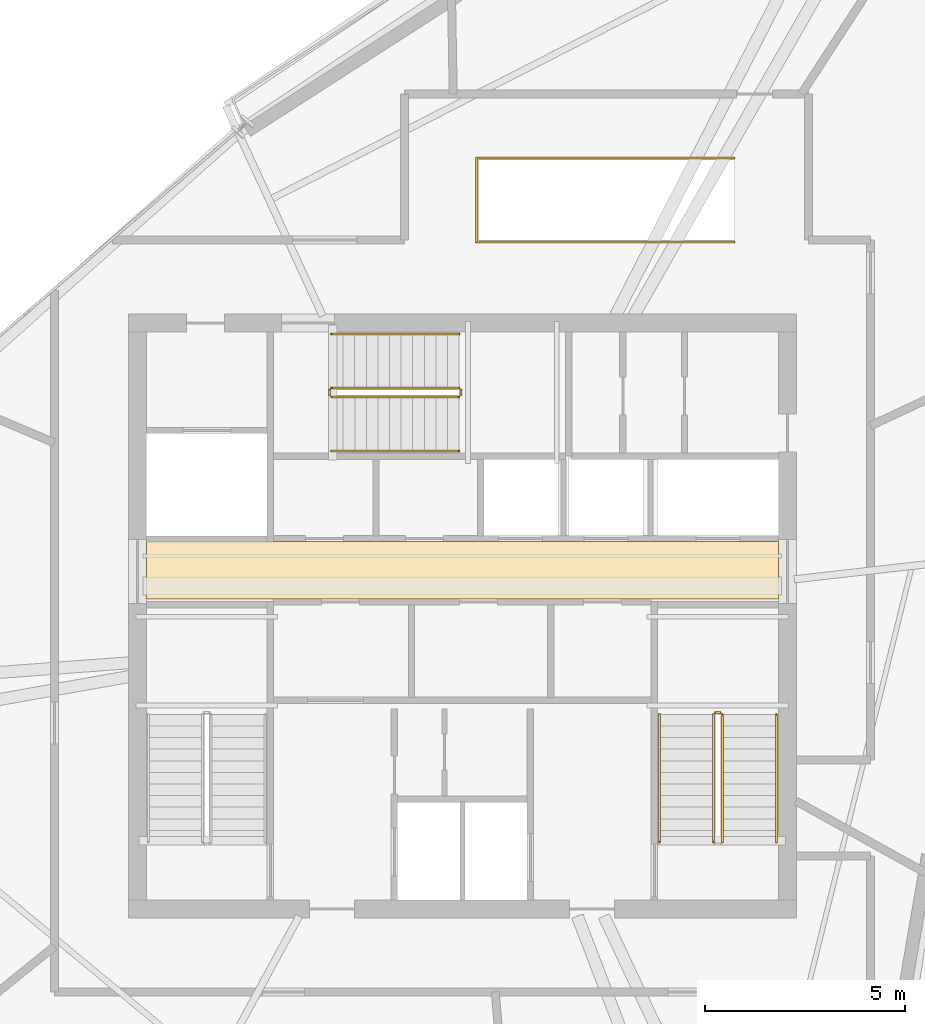
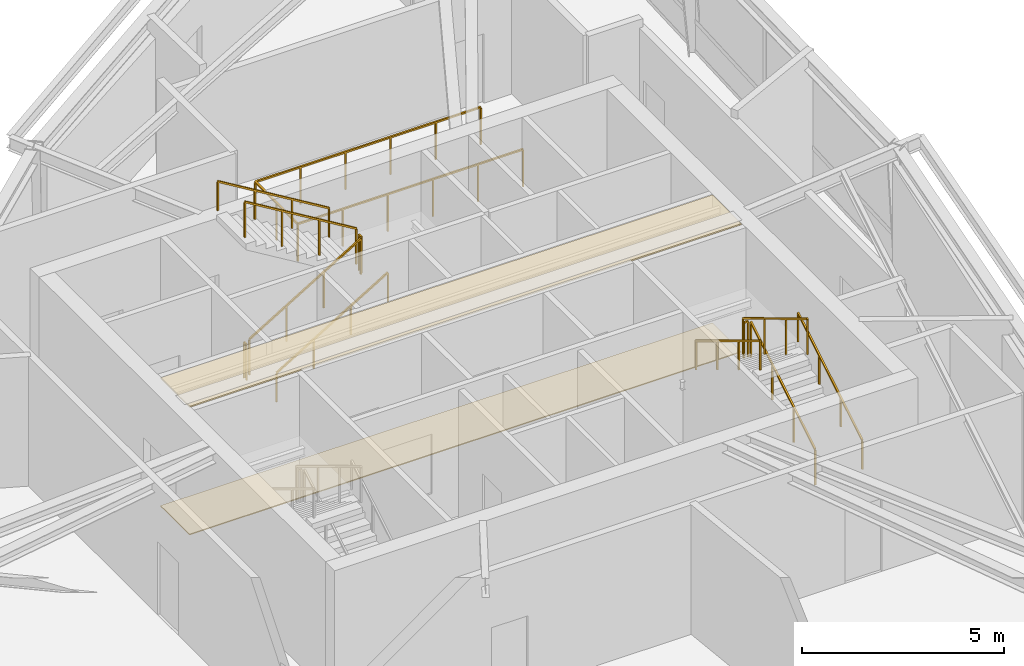
# One storey, part 21 of 22: 12 railings, 2 coverings.
"""IFC4 building model written with IfcOpenShell, lengths in metres."""

from ifc_helpers import new_model, si_unit, direction, frame, origin, origin_2d, place, context, subcontext, project, spatial, polyline, rectangle, outline, extrude, material, layer, layer_set, type_object, element, save


model = new_model("IFC4")

# Units and contexts
model_context = context("Model", 3, precision=1e-05, world=origin(), true_north=direction((0.0, 1.0)))
body_context = subcontext(model_context, "Body", "Model", "MODEL_VIEW")
ifc_project = project(units=[si_unit("LENGTHUNIT", "METRE"), si_unit("AREAUNIT", "SQUARE_METRE"), si_unit("VOLUMEUNIT", "CUBIC_METRE"), si_unit("PLANEANGLEUNIT", "RADIAN"), si_unit("MASSUNIT", "GRAM", prefix="KILO")], contexts=[model_context])

# Site, building, storey
site_placement = place(None, origin())
site = spatial("IfcSite", under=ifc_project, at=site_placement, CompositionType="ELEMENT")
building_placement = place(site_placement, origin())
building = spatial("IfcBuilding", under=site, at=building_placement, Name="Olszyna Solenne Hotel", CompositionType="ELEMENT")
storey_placement = place(building_placement, frame((0.0, 0.0, 281.89990234375)))
storey = spatial("IfcBuildingStorey", under=building, at=storey_placement, Name="L75", CompositionType="ELEMENT", Elevation=281.89990234375)

# Coverings
ifc_material_1 = material(Name="Mineral wool acoustic ceiling")
ifc_layer_1 = layer(ifc_material_1, 0.0400390625, Name="Mineral wool acoustic ceiling")
ifc_layer_set_1 = layer_set([ifc_layer_1], Name="Mineral wool acoustic ceiling")
covering_type_1 = type_object("IfcCoveringType", Name="CL-AC1", PredefinedType="CEILING", material=ifc_layer_set_1)
covering_1_placement = place(storey_placement, frame((0.0, 0.0, 3.860107421875)))
element("IfcCovering", 1, at=covering_1_placement, inside=storey, type_object=covering_type_1, Name="Lift lobby acoustic tile ceiling CL-L75-01", PredefinedType="CEILING", context=body_context, shape_type="SweptSolid", body=[
    extrude(outline(polyline([(30.10009765625, 27.030029296875), (45.89990234375, 27.030029296875), (45.89990234375, 28.4599609375), (30.10009765625, 28.4599609375), (30.10009765625, 27.030029296875)])), origin(), (0.0, 0.0, 1.0), 0.0400390625),
])
ifc_material_2 = material(Name="Ceramic floor tile")
ifc_layer_2 = layer(ifc_material_2, 0.030029296875, Name="Ceramic floor tile")
ifc_layer_set_2 = layer_set([ifc_layer_2], Name="Ceramic floor tile")
covering_type_2 = type_object("IfcCoveringType", Name="FL-TL1", PredefinedType="FLOORING", material=ifc_layer_set_2)
covering_2_placement = place(storey_placement, origin())
element("IfcCovering", 2, at=covering_2_placement, inside=storey, type_object=covering_type_2, Name="Lift lobby stoneware floor finish FLR-L75-01", PredefinedType="FLOORING", context=body_context, shape_type="SweptSolid", body=[
    extrude(outline(polyline([(30.10009765625, 27.030029296875), (45.89990234375, 27.030029296875), (45.89990234375, 28.4599609375), (30.10009765625, 28.4599609375), (30.10009765625, 27.030029296875)])), origin(), (0.0, 0.0, 1.0), 0.030029296875),
])

# Railings
ifc_material_3 = material(Name="Anodised bronze aluminium", Category="aluminium")
railing_type_1 = type_object("IfcRailingType", Name="GR-110", PredefinedType="BALUSTRADE", material=ifc_material_3)
railing_1_placement = place(storey_placement, frame((44.5, 20.949951171875, 0.175048828125)))
element("IfcRailing", 3, at=railing_1_placement, inside=storey, type_object=railing_type_1, Name="L75 ST2 stair guard 1", PredefinedType="BALUSTRADE", context=body_context, shape_type="SweptSolid", body=[
    extrude(rectangle(XDim=0.048095703125, YDim=0.048095703125, at=origin_2d()), frame((0.0, 0.0, 1.076171875), z_axis=(0.0, 0.856177665481, 0.516681531633), x_axis=(-1.0, 0.0, 0.0)), (0.0, 0.0, 1.0), 3.725830078125),
    extrude(rectangle(XDim=0.0419921875, YDim=0.0419921875, at=origin_2d()), origin(), (0.0, 0.0, 1.0), 1.052001953125),
    extrude(rectangle(XDim=0.0419921875, YDim=0.0419921875, at=origin_2d()), frame((0.0, 1.063232421875, 0.6416015625)), (0.0, 0.0, 1.0), 1.052001953125),
    extrude(rectangle(XDim=0.0419921875, YDim=0.0419921875, at=origin_2d()), frame((0.0, 2.126708984375, 1.283447265625)), (0.0, 0.0, 1.0), 1.052001953125),
    extrude(rectangle(XDim=0.0419921875, YDim=0.0419921875, at=origin_2d()), frame((0.0, 3.18994140625, 1.925048828125)), (0.0, 0.0, 1.0), 1.052001953125),
])
railing_2_placement = place(storey_placement, frame((44.449951171875, 24.18994140625, 2.10009765625)))
element("IfcRailing", 4, at=railing_2_placement, inside=storey, type_object=railing_type_1, Name="L75 ST2 stair guard 2", PredefinedType="BALUSTRADE", context=body_context, shape_type="SweptSolid", body=[
    extrude(rectangle(XDim=0.048095703125, YDim=0.048095703125, at=origin_2d()), frame((0.0, 0.0, 1.076171875), z_axis=(-1.0, 0.0, 0.0), x_axis=(0.0, -1.0, 0.0)), (0.0, 0.0, 1.0), 0.119873046875),
    extrude(rectangle(XDim=0.0419921875, YDim=0.0419921875, at=origin_2d()), origin(), (0.0, 0.0, 1.0), 1.052001953125),
    extrude(rectangle(XDim=0.0419921875, YDim=0.0419921875, at=origin_2d()), frame((-0.119873046875, 0.0, 0.0)), (0.0, 0.0, 1.0), 1.052001953125),
])
railing_3_placement = place(storey_placement, frame((44.280029296875, 24.139892578125, 2.275146484375)))
element("IfcRailing", 5, at=railing_3_placement, inside=storey, type_object=railing_type_1, Name="L75 ST2 stair guard 3", PredefinedType="BALUSTRADE", context=body_context, shape_type="SweptSolid", body=[
    extrude(rectangle(XDim=0.048095703125, YDim=0.048095703125, at=origin_2d()), frame((0.0, 0.0, 1.076171875), z_axis=(0.0, -0.856177665481, 0.516681531633), x_axis=(1.0, 0.0, 0.0)), (0.0, 0.0, 1.0), 3.725830078125),
    extrude(rectangle(XDim=0.0419921875, YDim=0.0419921875, at=origin_2d()), origin(), (0.0, 0.0, 1.0), 1.052001953125),
    extrude(rectangle(XDim=0.0419921875, YDim=0.0419921875, at=origin_2d()), frame((0.0, -1.063232421875, 0.6416015625)), (0.0, 0.0, 1.0), 1.052001953125),
    extrude(rectangle(XDim=0.0419921875, YDim=0.0419921875, at=origin_2d()), frame((0.0, -2.126708984375, 1.283447265625)), (0.0, 0.0, 1.0), 1.052001953125),
    extrude(rectangle(XDim=0.0419921875, YDim=0.0419921875, at=origin_2d()), frame((0.0, -3.18994140625, 1.925048828125)), (0.0, 0.0, 1.0), 1.052001953125),
])
railing_4_placement = place(storey_placement, frame((34.72998046875, 32.080078125, 0.175048828125)))
element("IfcRailing", 6, at=railing_4_placement, inside=storey, type_object=railing_type_1, Name="L75 ST3 stair guard 1", PredefinedType="BALUSTRADE", context=body_context, shape_type="SweptSolid", body=[
    extrude(rectangle(XDim=0.048095703125, YDim=0.048095703125, at=origin_2d()), frame((0.0, 0.0, 1.076171875), z_axis=(0.856177665481, 0.0, 0.516681531633), x_axis=(0.0, 1.0, 0.0)), (0.0, 0.0, 1.0), 3.725830078125),
    extrude(rectangle(XDim=0.0419921875, YDim=0.0419921875, at=origin_2d()), origin(), (0.0, 0.0, 1.0), 1.052001953125),
    extrude(rectangle(XDim=0.0419921875, YDim=0.0419921875, at=origin_2d()), frame((1.063232421875, 0.0, 0.6416015625)), (0.0, 0.0, 1.0), 1.052001953125),
    extrude(rectangle(XDim=0.0419921875, YDim=0.0419921875, at=origin_2d()), frame((2.126708984375, 0.0, 1.283447265625)), (0.0, 0.0, 1.0), 1.052001953125),
    extrude(rectangle(XDim=0.0419921875, YDim=0.0419921875, at=origin_2d()), frame((3.18994140625, 0.0, 1.925048828125)), (0.0, 0.0, 1.0), 1.052001953125),
])
railing_5_placement = place(storey_placement, frame((37.969970703125, 32.1298828125, 2.10009765625)))
element("IfcRailing", 7, at=railing_5_placement, inside=storey, type_object=railing_type_1, Name="L75 ST3 stair guard 2", PredefinedType="BALUSTRADE", context=body_context, shape_type="SweptSolid", body=[
    extrude(rectangle(XDim=0.048095703125, YDim=0.048095703125, at=origin_2d()), frame((0.0, 0.0, 1.076171875), z_axis=(0.0, 1.0, 0.0), x_axis=(-1.0, 0.0, 0.0)), (0.0, 0.0, 1.0), 0.1201171875),
    extrude(rectangle(XDim=0.0419921875, YDim=0.0419921875, at=origin_2d()), origin(), (0.0, 0.0, 1.0), 1.052001953125),
    extrude(rectangle(XDim=0.0419921875, YDim=0.0419921875, at=origin_2d()), frame((0.0, 0.1201171875, 0.0)), (0.0, 0.0, 1.0), 1.052001953125),
])
railing_6_placement = place(storey_placement, frame((37.919921875, 32.300048828125, 2.275146484375)))
element("IfcRailing", 8, at=railing_6_placement, inside=storey, type_object=railing_type_1, Name="L75 ST3 stair guard 3", PredefinedType="BALUSTRADE", context=body_context, shape_type="SweptSolid", body=[
    extrude(rectangle(XDim=0.048095703125, YDim=0.048095703125, at=origin_2d()), frame((0.0, 0.0, 1.076171875), z_axis=(-0.856177665481, 0.0, 0.516681531633), x_axis=(0.0, -1.0, 0.0)), (0.0, 0.0, 1.0), 3.725830078125),
    extrude(rectangle(XDim=0.0419921875, YDim=0.0419921875, at=origin_2d()), origin(), (0.0, 0.0, 1.0), 1.052001953125),
    extrude(rectangle(XDim=0.0419921875, YDim=0.0419921875, at=origin_2d()), frame((-1.063232421875, 0.0, 0.6416015625)), (0.0, 0.0, 1.0), 1.052001953125),
    extrude(rectangle(XDim=0.0419921875, YDim=0.0419921875, at=origin_2d()), frame((-2.126708984375, 0.0, 1.283447265625)), (0.0, 0.0, 1.0), 1.052001953125),
    extrude(rectangle(XDim=0.0419921875, YDim=0.0419921875, at=origin_2d()), frame((-3.18994140625, 0.0, 1.925048828125)), (0.0, 0.0, 1.0), 1.052001953125),
])
railing_7_placement = place(storey_placement, frame((34.679931640625, 32.1298828125, 0.0)))
element("IfcRailing", 9, at=railing_7_placement, inside=storey, type_object=railing_type_1, Name="L75 ST3 stair guard 4", PredefinedType="BALUSTRADE", context=body_context, shape_type="SweptSolid", body=[
    extrude(rectangle(XDim=0.048095703125, YDim=0.048095703125, at=origin_2d()), frame((0.0, 0.0, 1.076171875), z_axis=(0.0, 1.0, 0.0), x_axis=(-1.0, 0.0, 0.0)), (0.0, 0.0, 1.0), 0.1201171875),
    extrude(rectangle(XDim=0.0419921875, YDim=0.0419921875, at=origin_2d()), origin(), (0.0, 0.0, 1.0), 1.052001953125),
    extrude(rectangle(XDim=0.0419921875, YDim=0.0419921875, at=origin_2d()), frame((0.0, 0.1201171875, 0.0)), (0.0, 0.0, 1.0), 1.052001953125),
])
railing_8_placement = place(storey_placement, frame((44.800048828125, 35.949951171875, 0.0)))
element("IfcRailing", 10, at=railing_8_placement, inside=storey, type_object=railing_type_1, Name="Atrium stair well guard balustrade GR-L75-VD", PredefinedType="BALUSTRADE", context=body_context, shape_type="SweptSolid", body=[
    extrude(rectangle(XDim=0.048095703125, YDim=0.048095703125, at=origin_2d()), frame((0.0, 0.0, 1.1259765625), z_axis=(-1.0, 0.0, 0.0), x_axis=(0.0, -1.0, 0.0)), (0.0, 0.0, 1.0), 6.449951171875),
    extrude(rectangle(XDim=0.048095703125, YDim=0.048095703125, at=origin_2d()), frame((-6.449951171875, 0.0, 1.1259765625), z_axis=(0.0, 1.0, 0.0), x_axis=(-1.0, 0.0, 0.0)), (0.0, 0.0, 1.0), 2.10009765625),
    extrude(rectangle(XDim=0.048095703125, YDim=0.048095703125, at=origin_2d()), frame((-6.449951171875, 2.10009765625, 1.1259765625), z_axis=(1.0, 0.0, 0.0), x_axis=(0.0, 1.0, 0.0)), (0.0, 0.0, 1.0), 6.449951171875),
    extrude(rectangle(XDim=0.0419921875, YDim=0.0419921875, at=origin_2d()), origin(), (0.0, 0.0, 1.0), 1.101806640625),
    extrude(rectangle(XDim=0.0419921875, YDim=0.0419921875, at=origin_2d()), frame((-1.2900390625, 0.0, 0.0)), (0.0, 0.0, 1.0), 1.101806640625),
    extrude(rectangle(XDim=0.0419921875, YDim=0.0419921875, at=origin_2d()), frame((-2.580078125, 0.0, 0.0)), (0.0, 0.0, 1.0), 1.101806640625),
    extrude(rectangle(XDim=0.0419921875, YDim=0.0419921875, at=origin_2d()), frame((-3.869873046875, 0.0, 0.0)), (0.0, 0.0, 1.0), 1.101806640625),
    extrude(rectangle(XDim=0.0419921875, YDim=0.0419921875, at=origin_2d()), frame((-5.159912109375, 0.0, 0.0)), (0.0, 0.0, 1.0), 1.101806640625),
    extrude(rectangle(XDim=0.0419921875, YDim=0.0419921875, at=origin_2d()), frame((-6.449951171875, 0.0, 0.0)), (0.0, 0.0, 1.0), 1.101806640625),
    extrude(rectangle(XDim=0.0419921875, YDim=0.0419921875, at=origin_2d()), frame((-6.449951171875, 1.050048828125, 0.0)), (0.0, 0.0, 1.0), 1.101806640625),
    extrude(rectangle(XDim=0.0419921875, YDim=0.0419921875, at=origin_2d()), frame((-6.449951171875, 2.10009765625, 0.0)), (0.0, 0.0, 1.0), 1.101806640625),
    extrude(rectangle(XDim=0.0419921875, YDim=0.0419921875, at=origin_2d()), frame((-5.159912109375, 2.10009765625, 0.0)), (0.0, 0.0, 1.0), 1.101806640625),
    extrude(rectangle(XDim=0.0419921875, YDim=0.0419921875, at=origin_2d()), frame((-3.869873046875, 2.10009765625, 0.0)), (0.0, 0.0, 1.0), 1.101806640625),
    extrude(rectangle(XDim=0.0419921875, YDim=0.0419921875, at=origin_2d()), frame((-2.580078125, 2.10009765625, 0.0)), (0.0, 0.0, 1.0), 1.101806640625),
    extrude(rectangle(XDim=0.0419921875, YDim=0.0419921875, at=origin_2d()), frame((-1.2900390625, 2.10009765625, 0.0)), (0.0, 0.0, 1.0), 1.101806640625),
    extrude(rectangle(XDim=0.0419921875, YDim=0.0419921875, at=origin_2d()), frame((0.0, 2.10009765625, 0.0)), (0.0, 0.0, 1.0), 1.101806640625),
])
ifc_material_4 = material(Name="Steel S355J2", Category="steel")
railing_type_2 = type_object("IfcRailingType", Name="HR-090", PredefinedType="HANDRAIL", material=ifc_material_4)
railing_9_placement = place(storey_placement, frame((45.85009765625, 20.949951171875, 0.175048828125)))
element("IfcRailing", 11, at=railing_9_placement, inside=storey, type_object=railing_type_2, Name="L75 ST2 stair handrail 1", PredefinedType="HANDRAIL", context=body_context, shape_type="SweptSolid", body=[
    extrude(rectangle(XDim=0.048095703125, YDim=0.048095703125, at=origin_2d()), frame((0.0, 0.0, 0.8759765625), z_axis=(0.0, 0.856177665481, 0.516681531633), x_axis=(-1.0, 0.0, 0.0)), (0.0, 0.0, 1.0), 3.725830078125),
    extrude(rectangle(XDim=0.0419921875, YDim=0.0419921875, at=origin_2d()), origin(), (0.0, 0.0, 1.0), 0.851806640625),
    extrude(rectangle(XDim=0.0419921875, YDim=0.0419921875, at=origin_2d()), frame((0.0, 1.063232421875, 0.6416015625)), (0.0, 0.0, 1.0), 0.851806640625),
    extrude(rectangle(XDim=0.0419921875, YDim=0.0419921875, at=origin_2d()), frame((0.0, 2.126708984375, 1.283447265625)), (0.0, 0.0, 1.0), 0.851806640625),
    extrude(rectangle(XDim=0.0419921875, YDim=0.0419921875, at=origin_2d()), frame((0.0, 3.18994140625, 1.925048828125)), (0.0, 0.0, 1.0), 0.851806640625),
])
railing_10_placement = place(storey_placement, frame((42.929931640625, 24.139892578125, 2.275146484375)))
element("IfcRailing", 12, at=railing_10_placement, inside=storey, type_object=railing_type_2, Name="L75 ST2 stair handrail 2", PredefinedType="HANDRAIL", context=body_context, shape_type="SweptSolid", body=[
    extrude(rectangle(XDim=0.048095703125, YDim=0.048095703125, at=origin_2d()), frame((0.0, 0.0, 0.8759765625), z_axis=(0.0, -0.856177665481, 0.516681531633), x_axis=(1.0, 0.0, 0.0)), (0.0, 0.0, 1.0), 3.725830078125),
    extrude(rectangle(XDim=0.0419921875, YDim=0.0419921875, at=origin_2d()), origin(), (0.0, 0.0, 1.0), 0.851806640625),
    extrude(rectangle(XDim=0.0419921875, YDim=0.0419921875, at=origin_2d()), frame((0.0, -1.063232421875, 0.6416015625)), (0.0, 0.0, 1.0), 0.851806640625),
    extrude(rectangle(XDim=0.0419921875, YDim=0.0419921875, at=origin_2d()), frame((0.0, -2.126708984375, 1.283447265625)), (0.0, 0.0, 1.0), 0.851806640625),
    extrude(rectangle(XDim=0.0419921875, YDim=0.0419921875, at=origin_2d()), frame((0.0, -3.18994140625, 1.925048828125)), (0.0, 0.0, 1.0), 0.851806640625),
])
railing_11_placement = place(storey_placement, frame((34.72998046875, 30.72998046875, 0.175048828125)))
element("IfcRailing", 13, at=railing_11_placement, inside=storey, type_object=railing_type_2, Name="L75 ST3 stair handrail 1", PredefinedType="HANDRAIL", context=body_context, shape_type="SweptSolid", body=[
    extrude(rectangle(XDim=0.048095703125, YDim=0.048095703125, at=origin_2d()), frame((0.0, 0.0, 0.8759765625), z_axis=(0.856177665481, 0.0, 0.516681531633), x_axis=(0.0, 1.0, 0.0)), (0.0, 0.0, 1.0), 3.725830078125),
    extrude(rectangle(XDim=0.0419921875, YDim=0.0419921875, at=origin_2d()), origin(), (0.0, 0.0, 1.0), 0.851806640625),
    extrude(rectangle(XDim=0.0419921875, YDim=0.0419921875, at=origin_2d()), frame((1.063232421875, 0.0, 0.6416015625)), (0.0, 0.0, 1.0), 0.851806640625),
    extrude(rectangle(XDim=0.0419921875, YDim=0.0419921875, at=origin_2d()), frame((2.126708984375, 0.0, 1.283447265625)), (0.0, 0.0, 1.0), 0.851806640625),
    extrude(rectangle(XDim=0.0419921875, YDim=0.0419921875, at=origin_2d()), frame((3.18994140625, 0.0, 1.925048828125)), (0.0, 0.0, 1.0), 0.851806640625),
])
railing_12_placement = place(storey_placement, frame((37.919921875, 33.64990234375, 2.275146484375)))
element("IfcRailing", 14, at=railing_12_placement, inside=storey, type_object=railing_type_2, Name="L75 ST3 stair handrail 2", PredefinedType="HANDRAIL", context=body_context, shape_type="SweptSolid", body=[
    extrude(rectangle(XDim=0.048095703125, YDim=0.048095703125, at=origin_2d()), frame((0.0, 0.0, 0.8759765625), z_axis=(-0.856177665481, 0.0, 0.516681531633), x_axis=(0.0, -1.0, 0.0)), (0.0, 0.0, 1.0), 3.725830078125),
    extrude(rectangle(XDim=0.0419921875, YDim=0.0419921875, at=origin_2d()), origin(), (0.0, 0.0, 1.0), 0.851806640625),
    extrude(rectangle(XDim=0.0419921875, YDim=0.0419921875, at=origin_2d()), frame((-1.063232421875, 0.0, 0.6416015625)), (0.0, 0.0, 1.0), 0.851806640625),
    extrude(rectangle(XDim=0.0419921875, YDim=0.0419921875, at=origin_2d()), frame((-2.126708984375, 0.0, 1.283447265625)), (0.0, 0.0, 1.0), 0.851806640625),
    extrude(rectangle(XDim=0.0419921875, YDim=0.0419921875, at=origin_2d()), frame((-3.18994140625, 0.0, 1.925048828125)), (0.0, 0.0, 1.0), 0.851806640625),
])

save(model, "model.ifc")
